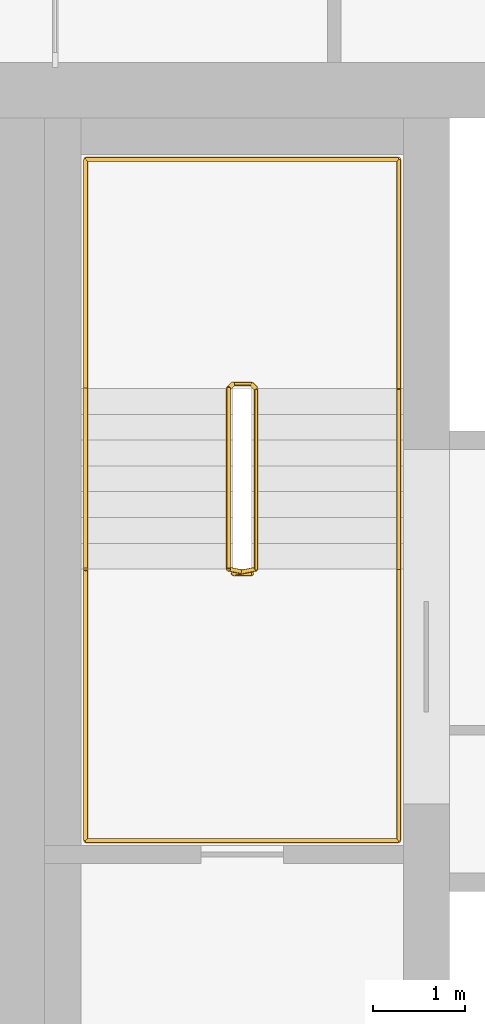
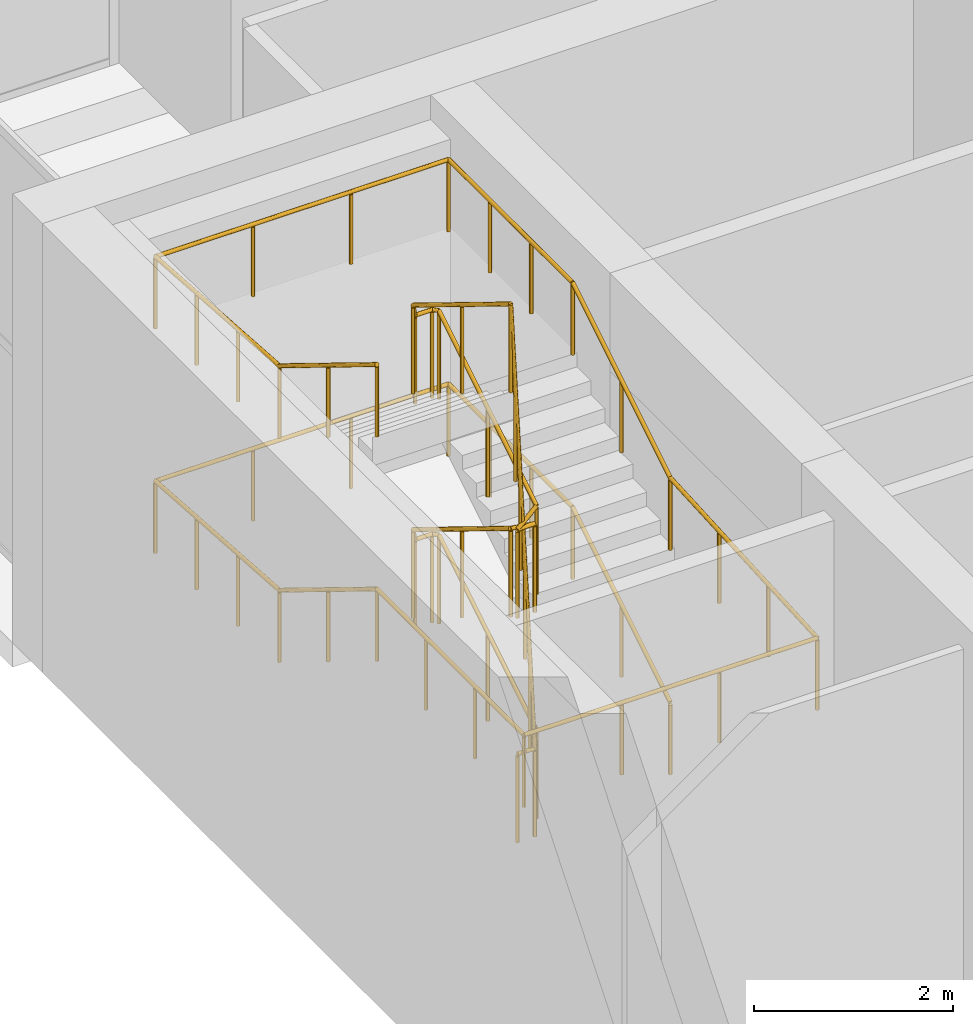
# One storey, part 15 of 15: 2 railings.
"""IFC4 building model written with IfcOpenShell, lengths in metres."""

from ifc_helpers import new_model, si_unit, direction, frame, origin, origin_2d, place, context, subcontext, project, spatial, circle, extrude, material, type_object, element, save


model = new_model("IFC4")

# Units and contexts
model_context = context("Model", 3, precision=1e-05, world=origin(), true_north=direction((0.0, 1.0)))
body_context = subcontext(model_context, "Body", "Model", "MODEL_VIEW")
ifc_project = project(units=[si_unit("LENGTHUNIT", "METRE"), si_unit("AREAUNIT", "SQUARE_METRE"), si_unit("VOLUMEUNIT", "CUBIC_METRE"), si_unit("PLANEANGLEUNIT", "RADIAN"), si_unit("MASSUNIT", "GRAM", prefix="KILO")], contexts=[model_context])

# Site, building, storey
site_placement = place(None, origin())
site = spatial("IfcSite", under=ifc_project, at=site_placement, CompositionType="ELEMENT")
building_placement = place(site_placement, origin())
building = spatial("IfcBuilding", under=site, at=building_placement, Name="Tamorin Gate", CompositionType="ELEMENT")
storey_placement = place(building_placement, frame((0.0, 0.0, 292.199951171875)))
storey = spatial("IfcBuildingStorey", under=building, at=storey_placement, Name="L73", CompositionType="ELEMENT", Elevation=292.199951171875)

# Railings
ifc_material_1 = material(Name="Painted steel balustrade", Category="steel")
railing_type_1 = type_object("IfcRailingType", Name="Stair guard 1100", PredefinedType="GUARDRAIL", material=ifc_material_1)
railing_1_placement = place(storey_placement, frame((32.89990234375, 77.0, 0.171875)))
element("IfcRailing", 1, at=railing_1_placement, inside=storey, type_object=railing_type_1, Name="L73 ST2 stair guard 1", PredefinedType="GUARDRAIL", context=body_context, shape_type="SweptSolid", body=[
    extrude(circle(Radius=0.02392578125, at=origin_2d()), frame((0.0, 0.0, 1.076171875), z_axis=(0.0, 0.852240978134, 0.523149419562), x_axis=(-1.0, 0.0, 0.0)), (0.0, 0.0, 1.0), 2.2998046875),
    extrude(circle(Radius=0.02392578125, at=origin_2d()), frame((0.0, 1.9599609375, 2.279296875), z_axis=(-0.705375805398, 0.708833529934, 0.0), x_axis=(-0.708833529934, -0.705375805398, 0.0)), (0.0, 0.0, 1.0), 0.070556640625),
    extrude(circle(Radius=0.02392578125, at=origin_2d()), frame((-0.0498046875, 2.010009765625, 2.279296875), z_axis=(-1.0, 0.0, 0.0), x_axis=(0.0, -1.0, 0.0)), (0.0, 0.0, 1.0), 0.2001953125),
    extrude(circle(Radius=0.02392578125, at=origin_2d()), frame((-0.25, 2.010009765625, 2.279296875), z_axis=(-0.268036860282, -0.26935076646, 0.924989949209), x_axis=(0.708833529934, -0.705375805398, 0.0)), (0.0, 0.0, 1.0), 0.185791015625),
    extrude(circle(Radius=0.02392578125, at=origin_2d()), frame((-0.2998046875, 1.9599609375, 2.451171875), z_axis=(0.0, -0.852240978134, 0.523149419562), x_axis=(1.0, 0.0, 0.0)), (0.0, 0.0, 1.0), 2.2998046875),
    extrude(circle(Radius=0.02392578125, at=origin_2d()), frame((-0.2998046875, 0.0, 3.654296875), z_axis=(0.98054382908, -0.196300278283, 0.0), x_axis=(0.196300278283, 0.98054382908, 0.0)), (0.0, 0.0, 1.0), 0.2548828125),
    extrude(circle(Radius=0.02392578125, at=origin_2d()), frame((-0.0498046875, -0.050048828125, 3.654296875), z_axis=(-1.0, 0.0, 0.0), x_axis=(0.0, -1.0, 0.0)), (0.0, 0.0, 1.0), 0.2001953125),
    extrude(circle(Radius=0.02392578125, at=origin_2d()), frame((-0.25, -0.050048828125, 3.654296875), z_axis=(0.81305262559, 0.162769324459, 0.558973680093), x_axis=(-0.196300278283, 0.98054382908, 0.0)), (0.0, 0.0, 1.0), 0.307373046875),
    extrude(circle(Radius=0.02392578125, at=origin_2d()), frame((0.0, 0.0, 3.826171875), z_axis=(0.0, 0.852240978134, 0.523149419562), x_axis=(-1.0, 0.0, 0.0)), (0.0, 0.0, 1.0), 2.2998046875),
    extrude(circle(Radius=0.02392578125, at=origin_2d()), frame((0.0, 1.9599609375, 5.029296875), z_axis=(-0.705375805398, 0.708833529934, 0.0), x_axis=(-0.708833529934, -0.705375805398, 0.0)), (0.0, 0.0, 1.0), 0.070556640625),
    extrude(circle(Radius=0.02392578125, at=origin_2d()), frame((-0.0498046875, 2.010009765625, 5.029296875), z_axis=(-1.0, 0.0, 0.0), x_axis=(0.0, -1.0, 0.0)), (0.0, 0.0, 1.0), 0.2001953125),
    extrude(circle(Radius=0.02392578125, at=origin_2d()), frame((-0.25, 2.010009765625, 5.029296875), z_axis=(-0.268036860282, -0.26935076646, 0.924989949209), x_axis=(0.708833529934, -0.705375805398, 0.0)), (0.0, 0.0, 1.0), 0.185791015625),
    extrude(circle(Radius=0.02392578125, at=origin_2d()), frame((-0.2998046875, 1.9599609375, 5.201171875), z_axis=(0.0, -0.852240978134, 0.523149419562), x_axis=(1.0, 0.0, 0.0)), (0.0, 0.0, 1.0), 2.2998046875),
    extrude(circle(Radius=0.02392578125, at=origin_2d()), frame((-0.2998046875, 0.0, 6.404296875), z_axis=(0.045405784895, -0.009090025296, -0.998927267692), x_axis=(0.196300278283, 0.98054382908, 0.0)), (0.0, 0.0, 1.0), 5.505859375),
    extrude(circle(Radius=0.02392578125, at=origin_2d()), frame((-0.0498046875, -0.050048828125, 0.904296875), z_axis=(-1.0, 0.0, 0.0), x_axis=(0.0, -1.0, 0.0)), (0.0, 0.0, 1.0), 0.2001953125),
    extrude(circle(Radius=0.02099609375, at=origin_2d()), origin(), (0.0, 0.0, 1.0), 1.052001953125),
    extrude(circle(Radius=0.02099609375, at=origin_2d()), frame((0.0, 0.97998046875, 0.6015625)), (0.0, 0.0, 1.0), 1.052001953125),
    extrude(circle(Radius=0.02099609375, at=origin_2d()), frame((0.0, 1.9599609375, 1.203125)), (0.0, 0.0, 1.0), 1.052001953125),
    extrude(circle(Radius=0.02099609375, at=origin_2d()), frame((-0.0498046875, 2.010009765625, 1.203125)), (0.0, 0.0, 1.0), 1.052001953125),
    extrude(circle(Radius=0.02099609375, at=origin_2d()), frame((-0.25, 2.010009765625, 1.203125)), (0.0, 0.0, 1.0), 1.052001953125),
    extrude(circle(Radius=0.02099609375, at=origin_2d()), frame((-0.2998046875, 1.9599609375, 1.375)), (0.0, 0.0, 1.0), 1.052001953125),
    extrude(circle(Radius=0.02099609375, at=origin_2d()), frame((-0.2998046875, 0.97998046875, 1.9765625)), (0.0, 0.0, 1.0), 1.052001953125),
    extrude(circle(Radius=0.02099609375, at=origin_2d()), frame((-0.2998046875, 0.0, 2.578125)), (0.0, 0.0, 1.0), 1.052001953125),
    extrude(circle(Radius=0.02099609375, at=origin_2d()), frame((-0.0498046875, -0.050048828125, 2.578125)), (0.0, 0.0, 1.0), 1.052001953125),
    extrude(circle(Radius=0.02099609375, at=origin_2d()), frame((-0.25, -0.050048828125, 2.578125)), (0.0, 0.0, 1.0), 1.052001953125),
    extrude(circle(Radius=0.02099609375, at=origin_2d()), frame((0.0, 0.0, 2.75)), (0.0, 0.0, 1.0), 1.052001953125),
    extrude(circle(Radius=0.02099609375, at=origin_2d()), frame((0.0, 0.97998046875, 3.3515625)), (0.0, 0.0, 1.0), 1.052001953125),
    extrude(circle(Radius=0.02099609375, at=origin_2d()), frame((0.0, 1.9599609375, 3.953125)), (0.0, 0.0, 1.0), 1.052001953125),
    extrude(circle(Radius=0.02099609375, at=origin_2d()), frame((-0.0498046875, 2.010009765625, 3.953125)), (0.0, 0.0, 1.0), 1.052001953125),
    extrude(circle(Radius=0.02099609375, at=origin_2d()), frame((-0.25, 2.010009765625, 3.953125)), (0.0, 0.0, 1.0), 1.052001953125),
    extrude(circle(Radius=0.02099609375, at=origin_2d()), frame((-0.2998046875, 1.9599609375, 4.125)), (0.0, 0.0, 1.0), 1.052001953125),
    extrude(circle(Radius=0.02099609375, at=origin_2d()), frame((-0.2998046875, 0.97998046875, 4.7265625)), (0.0, 0.0, 1.0), 1.052001953125),
    extrude(circle(Radius=0.02099609375, at=origin_2d()), frame((-0.2998046875, 0.0, 5.328125)), (0.0, 0.0, 1.0), 1.052001953125),
    extrude(circle(Radius=0.02099609375, at=origin_2d()), frame((-0.249755859375, -0.010009765625, 4.22802734375)), (0.0, 0.0, 1.0), 1.052001953125),
    extrude(circle(Radius=0.02099609375, at=origin_2d()), frame((-0.19970703125, -0.02001953125, 3.128173828125)), (0.0, 0.0, 1.0), 1.052001953125),
    extrude(circle(Radius=0.02099609375, at=origin_2d()), frame((-0.14990234375, -0.030029296875, 2.028076171875)), (0.0, 0.0, 1.0), 1.052001953125),
    extrude(circle(Radius=0.02099609375, at=origin_2d()), frame((-0.099853515625, -0.0400390625, 0.92822265625)), (0.0, 0.0, 1.0), 1.052001953125),
    extrude(circle(Radius=0.02099609375, at=origin_2d()), frame((-0.0498046875, -0.050048828125, -0.171875)), (0.0, 0.0, 1.0), 1.052001953125),
    extrude(circle(Radius=0.02099609375, at=origin_2d()), frame((-0.25, -0.050048828125, -0.171875)), (0.0, 0.0, 1.0), 1.052001953125),
])
ifc_material_2 = material(Name="Painted steel handrail", Category="steel")
railing_type_2 = type_object("IfcRailingType", Name="Stair handrail 900", PredefinedType="HANDRAIL", material=ifc_material_2)
railing_2_placement = place(storey_placement, frame((34.449951171875, 77.0, 0.171875)))
element("IfcRailing", 2, at=railing_2_placement, inside=storey, type_object=railing_type_2, Name="L73 ST2 stair handrail 1", PredefinedType="HANDRAIL", context=body_context, shape_type="SweptSolid", body=[
    extrude(circle(Radius=0.02392578125, at=origin_2d()), frame((0.0, 0.0, 0.8759765625), z_axis=(0.0, 0.852240978134, 0.523149419562), x_axis=(-1.0, 0.0, 0.0)), (0.0, 0.0, 1.0), 2.2998046875),
    extrude(circle(Radius=0.02392578125, at=origin_2d()), frame((0.0, 1.9599609375, 2.0791015625), z_axis=(0.0, 1.0, 0.0), x_axis=(-1.0, 0.0, 0.0)), (0.0, 0.0, 1.0), 2.489990234375),
    extrude(circle(Radius=0.02392578125, at=origin_2d()), frame((0.0, 4.449951171875, 2.0791015625), z_axis=(-1.0, 0.0, 0.0), x_axis=(0.0, -1.0, 0.0)), (0.0, 0.0, 1.0), 3.39990234375),
    extrude(circle(Radius=0.02392578125, at=origin_2d()), frame((-3.39990234375, 4.449951171875, 2.0791015625), z_axis=(0.0, -0.997626159281, 0.068862517515), x_axis=(1.0, 0.0, 0.0)), (0.0, 0.0, 1.0), 2.495849609375),
    extrude(circle(Radius=0.02392578125, at=origin_2d()), frame((-3.39990234375, 1.9599609375, 2.2509765625), z_axis=(0.0, -0.852240978134, 0.523149419562), x_axis=(1.0, 0.0, 0.0)), (0.0, 0.0, 1.0), 2.2998046875),
    extrude(circle(Radius=0.02392578125, at=origin_2d()), frame((-3.39990234375, 0.0, 3.4541015625), z_axis=(0.0, -1.0, 0.0), x_axis=(1.0, 0.0, 0.0)), (0.0, 0.0, 1.0), 2.949951171875),
    extrude(circle(Radius=0.02392578125, at=origin_2d()), frame((-3.39990234375, -2.949951171875, 3.4541015625), z_axis=(1.0, 0.0, 0.0), x_axis=(0.0, 1.0, 0.0)), (0.0, 0.0, 1.0), 3.39990234375),
    extrude(circle(Radius=0.02392578125, at=origin_2d()), frame((0.0, -2.949951171875, 3.4541015625), z_axis=(0.0, 0.99830698121, 0.058165034741), x_axis=(-1.0, 0.0, 0.0)), (0.0, 0.0, 1.0), 2.954833984375),
    extrude(circle(Radius=0.02392578125, at=origin_2d()), frame((0.0, 0.0, 3.6259765625), z_axis=(0.0, 0.852240978134, 0.523149419562), x_axis=(-1.0, 0.0, 0.0)), (0.0, 0.0, 1.0), 2.2998046875),
    extrude(circle(Radius=0.02392578125, at=origin_2d()), frame((0.0, 1.9599609375, 4.8291015625), z_axis=(0.0, 1.0, 0.0), x_axis=(-1.0, 0.0, 0.0)), (0.0, 0.0, 1.0), 2.489990234375),
    extrude(circle(Radius=0.02392578125, at=origin_2d()), frame((0.0, 4.449951171875, 4.8291015625), z_axis=(-1.0, 0.0, 0.0), x_axis=(0.0, -1.0, 0.0)), (0.0, 0.0, 1.0), 3.39990234375),
    extrude(circle(Radius=0.02392578125, at=origin_2d()), frame((-3.39990234375, 4.449951171875, 4.8291015625), z_axis=(0.0, -0.997626159281, 0.068862517515), x_axis=(1.0, 0.0, 0.0)), (0.0, 0.0, 1.0), 2.495849609375),
    extrude(circle(Radius=0.02392578125, at=origin_2d()), frame((-3.39990234375, 1.9599609375, 5.0009765625), z_axis=(0.0, -0.852240978134, 0.523149419562), x_axis=(1.0, 0.0, 0.0)), (0.0, 0.0, 1.0), 2.2998046875),
    extrude(circle(Radius=0.02099609375, at=origin_2d()), origin(), (0.0, 0.0, 1.0), 0.851806640625),
    extrude(circle(Radius=0.02099609375, at=origin_2d()), frame((0.0, 0.97998046875, 0.6015625)), (0.0, 0.0, 1.0), 0.851806640625),
    extrude(circle(Radius=0.02099609375, at=origin_2d()), frame((0.0, 1.9599609375, 1.203125)), (0.0, 0.0, 1.0), 0.851806640625),
    extrude(circle(Radius=0.02099609375, at=origin_2d()), frame((0.0, 2.7900390625, 1.203125)), (0.0, 0.0, 1.0), 0.851806640625),
    extrude(circle(Radius=0.02099609375, at=origin_2d()), frame((0.0, 3.619873046875, 1.203125)), (0.0, 0.0, 1.0), 0.851806640625),
    extrude(circle(Radius=0.02099609375, at=origin_2d()), frame((0.0, 4.449951171875, 1.203125)), (0.0, 0.0, 1.0), 0.851806640625),
    extrude(circle(Radius=0.02099609375, at=origin_2d()), frame((-1.13330078125, 4.449951171875, 1.203125)), (0.0, 0.0, 1.0), 0.851806640625),
    extrude(circle(Radius=0.02099609375, at=origin_2d()), frame((-2.2666015625, 4.449951171875, 1.203125)), (0.0, 0.0, 1.0), 0.851806640625),
    extrude(circle(Radius=0.02099609375, at=origin_2d()), frame((-3.39990234375, 4.449951171875, 1.203125)), (0.0, 0.0, 1.0), 0.851806640625),
    extrude(circle(Radius=0.02099609375, at=origin_2d()), frame((-3.39990234375, 3.619873046875, 1.260498046875)), (0.0, 0.0, 1.0), 0.851806640625),
    extrude(circle(Radius=0.02099609375, at=origin_2d()), frame((-3.39990234375, 2.7900390625, 1.317626953125)), (0.0, 0.0, 1.0), 0.851806640625),
    extrude(circle(Radius=0.02099609375, at=origin_2d()), frame((-3.39990234375, 1.9599609375, 1.375)), (0.0, 0.0, 1.0), 0.851806640625),
    extrude(circle(Radius=0.02099609375, at=origin_2d()), frame((-3.39990234375, 0.97998046875, 1.9765625)), (0.0, 0.0, 1.0), 0.851806640625),
    extrude(circle(Radius=0.02099609375, at=origin_2d()), frame((-3.39990234375, 0.0, 2.578125)), (0.0, 0.0, 1.0), 0.851806640625),
    extrude(circle(Radius=0.02099609375, at=origin_2d()), frame((-3.39990234375, -0.9833984375, 2.578125)), (0.0, 0.0, 1.0), 0.851806640625),
    extrude(circle(Radius=0.02099609375, at=origin_2d()), frame((-3.39990234375, -1.966552734375, 2.578125)), (0.0, 0.0, 1.0), 0.851806640625),
    extrude(circle(Radius=0.02099609375, at=origin_2d()), frame((-3.39990234375, -2.949951171875, 2.578125)), (0.0, 0.0, 1.0), 0.851806640625),
    extrude(circle(Radius=0.02099609375, at=origin_2d()), frame((-2.2666015625, -2.949951171875, 2.578125)), (0.0, 0.0, 1.0), 0.851806640625),
    extrude(circle(Radius=0.02099609375, at=origin_2d()), frame((-1.13330078125, -2.949951171875, 2.578125)), (0.0, 0.0, 1.0), 0.851806640625),
    extrude(circle(Radius=0.02099609375, at=origin_2d()), frame((0.0, -2.949951171875, 2.578125)), (0.0, 0.0, 1.0), 0.851806640625),
    extrude(circle(Radius=0.02099609375, at=origin_2d()), frame((0.0, -1.966552734375, 2.635498046875)), (0.0, 0.0, 1.0), 0.851806640625),
    extrude(circle(Radius=0.02099609375, at=origin_2d()), frame((0.0, -0.9833984375, 2.692626953125)), (0.0, 0.0, 1.0), 0.851806640625),
    extrude(circle(Radius=0.02099609375, at=origin_2d()), frame((0.0, 0.0, 2.75)), (0.0, 0.0, 1.0), 0.851806640625),
    extrude(circle(Radius=0.02099609375, at=origin_2d()), frame((0.0, 0.97998046875, 3.3515625)), (0.0, 0.0, 1.0), 0.851806640625),
    extrude(circle(Radius=0.02099609375, at=origin_2d()), frame((0.0, 1.9599609375, 3.953125)), (0.0, 0.0, 1.0), 0.851806640625),
    extrude(circle(Radius=0.02099609375, at=origin_2d()), frame((0.0, 2.7900390625, 3.953125)), (0.0, 0.0, 1.0), 0.851806640625),
    extrude(circle(Radius=0.02099609375, at=origin_2d()), frame((0.0, 3.619873046875, 3.953125)), (0.0, 0.0, 1.0), 0.851806640625),
    extrude(circle(Radius=0.02099609375, at=origin_2d()), frame((0.0, 4.449951171875, 3.953125)), (0.0, 0.0, 1.0), 0.851806640625),
    extrude(circle(Radius=0.02099609375, at=origin_2d()), frame((-1.13330078125, 4.449951171875, 3.953125)), (0.0, 0.0, 1.0), 0.851806640625),
    extrude(circle(Radius=0.02099609375, at=origin_2d()), frame((-2.2666015625, 4.449951171875, 3.953125)), (0.0, 0.0, 1.0), 0.851806640625),
    extrude(circle(Radius=0.02099609375, at=origin_2d()), frame((-3.39990234375, 4.449951171875, 3.953125)), (0.0, 0.0, 1.0), 0.851806640625),
    extrude(circle(Radius=0.02099609375, at=origin_2d()), frame((-3.39990234375, 3.619873046875, 4.010498046875)), (0.0, 0.0, 1.0), 0.851806640625),
    extrude(circle(Radius=0.02099609375, at=origin_2d()), frame((-3.39990234375, 2.7900390625, 4.067626953125)), (0.0, 0.0, 1.0), 0.851806640625),
    extrude(circle(Radius=0.02099609375, at=origin_2d()), frame((-3.39990234375, 1.9599609375, 4.125)), (0.0, 0.0, 1.0), 0.851806640625),
    extrude(circle(Radius=0.02099609375, at=origin_2d()), frame((-3.39990234375, 0.97998046875, 4.7265625)), (0.0, 0.0, 1.0), 0.851806640625),
    extrude(circle(Radius=0.02099609375, at=origin_2d()), frame((-3.39990234375, 0.0, 5.328125)), (0.0, 0.0, 1.0), 0.851806640625),
])

save(model, "model.ifc")
